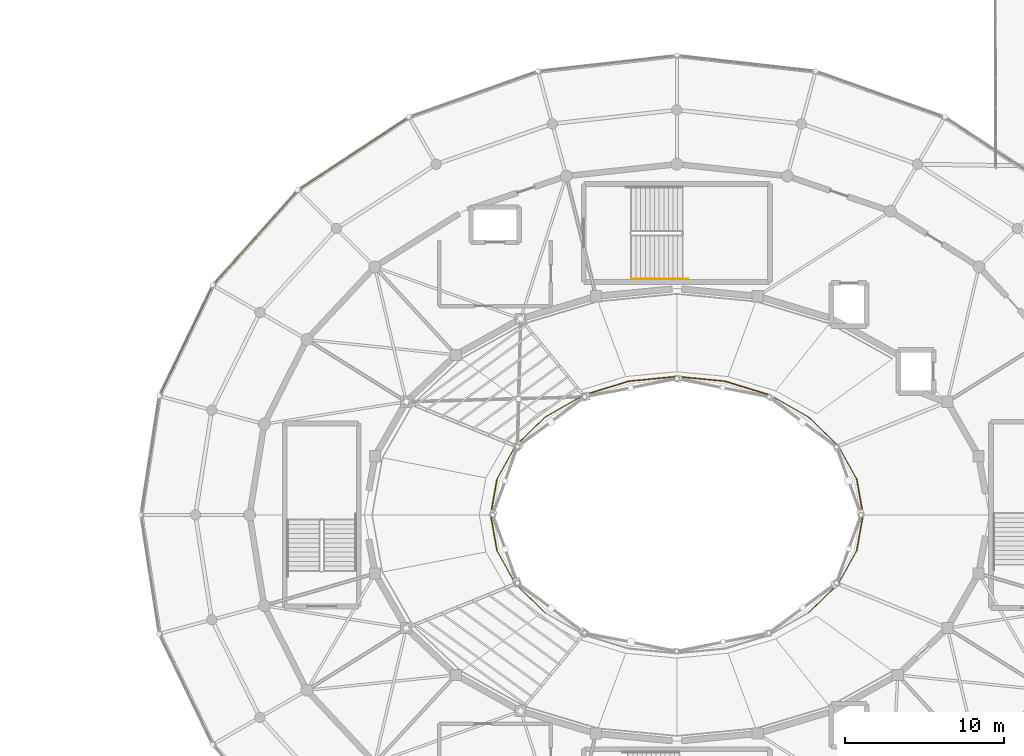
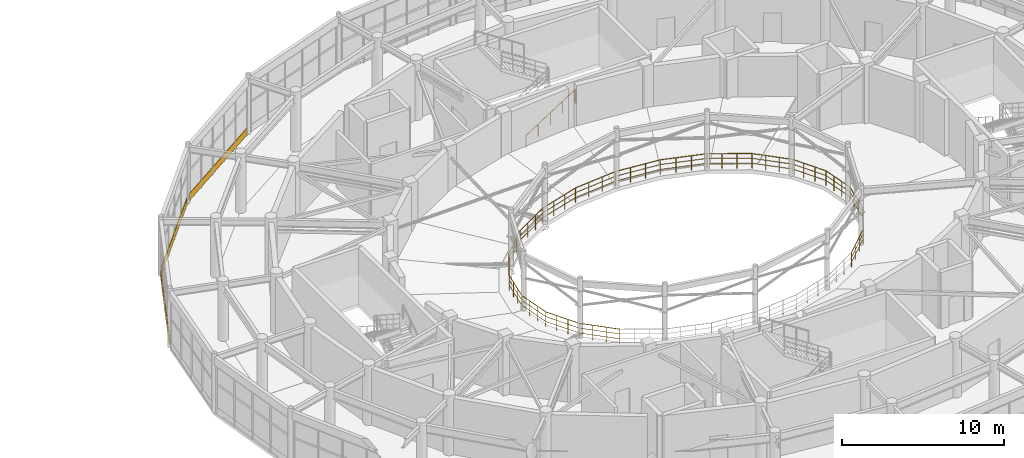
# One storey, part 105 of 112: 19 railings, 3 coverings.
"""IFC4 building model written with IfcOpenShell, lengths in metres."""

from ifc_helpers import new_model, si_unit, direction, frame, origin, origin_2d, place, context, subcontext, project, spatial, rectangle, circle, extrude, material, layer, layer_set, type_object, element, save


model = new_model("IFC4")

# Units and contexts
model_context = context("Model", 3, precision=1e-05, world=origin(), true_north=direction((0.0, 1.0)))
body_context = subcontext(model_context, "Body", "Model", "MODEL_VIEW")
ifc_project = project(units=[si_unit("LENGTHUNIT", "METRE"), si_unit("AREAUNIT", "SQUARE_METRE"), si_unit("VOLUMEUNIT", "CUBIC_METRE"), si_unit("PLANEANGLEUNIT", "RADIAN"), si_unit("MASSUNIT", "GRAM", prefix="KILO")], contexts=[model_context])

# Site, building, storey
site_placement = place(None, origin())
site = spatial("IfcSite", under=ifc_project, at=site_placement, CompositionType="ELEMENT")
building_placement = place(site_placement, origin())
building = spatial("IfcBuilding", under=site, at=building_placement, Name="Cinderbank Siding Concert Hall", CompositionType="ELEMENT")
storey_placement = place(building_placement, frame((0.0, 0.0, 10.199951171875)))
storey = spatial("IfcBuildingStorey", under=building, at=storey_placement, Name="L03", CompositionType="ELEMENT", Elevation=10.199951171875)

# Railings
ifc_material_1 = material(Name="Spotted gum glulam timber GL18 (42 MPa)", Category="wood")
railing_type_1 = type_object("IfcRailingType", Name="BAL-01 Auditorium Tier Balustrade 1120mm", PredefinedType="BALUSTRADE", material=ifc_material_1)
railing_1_placement = place(storey_placement, frame((133.679931640625, 44.0, 0.0)))
element("IfcRailing", 1, at=railing_1_placement, inside=storey, type_object=railing_type_1, Name="L03 Auditorium Circle Balustrade 01", PredefinedType="BALUSTRADE", context=body_context, shape_type="SweptSolid", body=[
    extrude(circle(Radius=0.02392578125, at=origin_2d()), frame((0.0, 0.0, 1.09619140625), z_axis=(-0.174420153546, 0.984671320816, 0.0), x_axis=(-0.984671320816, -0.174420153546, 0.0)), (0.0, 0.0, 1.0), 2.281494140625),
    extrude(circle(Radius=0.01611328125, at=origin_2d()), frame((0.0, 0.0, 0.36962890625), z_axis=(-0.174420153546, 0.984671320816, 0.0), x_axis=(-0.984671320816, -0.174420153546, 0.0)), (0.0, 0.0, 1.0), 2.281494140625),
    extrude(circle(Radius=0.01611328125, at=origin_2d()), frame((0.0, 0.0, 0.7392578125), z_axis=(-0.174420153546, 0.984671320816, 0.0), x_axis=(-0.984671320816, -0.174420153546, 0.0)), (0.0, 0.0, 1.0), 2.281494140625),
    extrude(circle(Radius=0.02099609375, at=origin_2d()), origin(), (0.0, 0.0, 1.0), 1.072021484375),
    extrude(circle(Radius=0.02099609375, at=origin_2d()), frame((-0.132568359375, 0.748779296875, 0.0)), (0.0, 0.0, 1.0), 1.072021484375),
    extrude(circle(Radius=0.02099609375, at=origin_2d()), frame((-0.265380859375, 1.497802734375, 0.0)), (0.0, 0.0, 1.0), 1.072021484375),
    extrude(circle(Radius=0.02099609375, at=origin_2d()), frame((-0.39794921875, 2.24658203125, 0.0)), (0.0, 0.0, 1.0), 1.072021484375),
])
railing_2_placement = place(storey_placement, frame((133.281982421875, 46.24658203125, 0.0)))
element("IfcRailing", 2, at=railing_2_placement, inside=storey, type_object=railing_type_1, Name="L03 Auditorium Circle Balustrade 02", PredefinedType="BALUSTRADE", context=body_context, shape_type="SweptSolid", body=[
    extrude(circle(Radius=0.02392578125, at=origin_2d()), frame((0.0, 0.0, 1.09619140625), z_axis=(-0.486818758281, 0.873503003192, 0.0), x_axis=(-0.873503003192, -0.486818758281, 0.0)), (0.0, 0.0, 1.0), 2.396728515625),
    extrude(circle(Radius=0.01611328125, at=origin_2d()), frame((0.0, 0.0, 0.36962890625), z_axis=(-0.486818758281, 0.873503003192, 0.0), x_axis=(-0.873503003192, -0.486818758281, 0.0)), (0.0, 0.0, 1.0), 2.396728515625),
    extrude(circle(Radius=0.01611328125, at=origin_2d()), frame((0.0, 0.0, 0.7392578125), z_axis=(-0.486818758281, 0.873503003192, 0.0), x_axis=(-0.873503003192, -0.486818758281, 0.0)), (0.0, 0.0, 1.0), 2.396728515625),
    extrude(circle(Radius=0.02099609375, at=origin_2d()), origin(), (0.0, 0.0, 1.0), 1.072021484375),
    extrude(circle(Radius=0.02099609375, at=origin_2d()), frame((-0.388916015625, 0.69775390625, 0.0)), (0.0, 0.0, 1.0), 1.072021484375),
    extrude(circle(Radius=0.02099609375, at=origin_2d()), frame((-0.77783203125, 1.395751953125, 0.0)), (0.0, 0.0, 1.0), 1.072021484375),
    extrude(circle(Radius=0.02099609375, at=origin_2d()), frame((-1.166748046875, 2.093505859375, 0.0)), (0.0, 0.0, 1.0), 1.072021484375),
])
railing_3_placement = place(storey_placement, frame((132.115234375, 48.340087890625, 0.0)))
element("IfcRailing", 3, at=railing_3_placement, inside=storey, type_object=railing_type_1, Name="L03 Auditorium Circle Balustrade 03", PredefinedType="BALUSTRADE", context=body_context, shape_type="SweptSolid", body=[
    extrude(circle(Radius=0.02392578125, at=origin_2d()), frame((0.0, 0.0, 1.09619140625), z_axis=(-0.71835383074, 0.695677923943, 0.0), x_axis=(-0.695677923943, -0.71835383074, 0.0)), (0.0, 0.0, 1.0), 2.583984375),
    extrude(circle(Radius=0.01611328125, at=origin_2d()), frame((0.0, 0.0, 0.36962890625), z_axis=(-0.71835383074, 0.695677923943, 0.0), x_axis=(-0.695677923943, -0.71835383074, 0.0)), (0.0, 0.0, 1.0), 2.583984375),
    extrude(circle(Radius=0.01611328125, at=origin_2d()), frame((0.0, 0.0, 0.7392578125), z_axis=(-0.71835383074, 0.695677923943, 0.0), x_axis=(-0.695677923943, -0.71835383074, 0.0)), (0.0, 0.0, 1.0), 2.583984375),
    extrude(circle(Radius=0.02099609375, at=origin_2d()), origin(), (0.0, 0.0, 1.0), 1.072021484375),
    extrude(circle(Radius=0.02099609375, at=origin_2d()), frame((-0.61865234375, 0.59912109375, 0.0)), (0.0, 0.0, 1.0), 1.072021484375),
    extrude(circle(Radius=0.02099609375, at=origin_2d()), frame((-1.237548828125, 1.198486328125, 0.0)), (0.0, 0.0, 1.0), 1.072021484375),
    extrude(circle(Radius=0.02099609375, at=origin_2d()), frame((-1.856201171875, 1.797607421875, 0.0)), (0.0, 0.0, 1.0), 1.072021484375),
])
railing_4_placement = place(storey_placement, frame((130.259033203125, 50.1376953125, 0.0)))
element("IfcRailing", 4, at=railing_4_placement, inside=storey, type_object=railing_type_1, Name="L03 Auditorium Circle Balustrade 04", PredefinedType="BALUSTRADE", context=body_context, shape_type="SweptSolid", body=[
    extrude(circle(Radius=0.02392578125, at=origin_2d()), frame((0.0, 0.0, 1.09619140625), z_axis=(-0.868685219128, 0.495364502228, 0.0), x_axis=(-0.495364502228, -0.868685219128, 0.0)), (0.0, 0.0, 1.0), 2.78466796875),
    extrude(circle(Radius=0.01611328125, at=origin_2d()), frame((0.0, 0.0, 0.36962890625), z_axis=(-0.868685219128, 0.495364502228, 0.0), x_axis=(-0.495364502228, -0.868685219128, 0.0)), (0.0, 0.0, 1.0), 2.78466796875),
    extrude(circle(Radius=0.01611328125, at=origin_2d()), frame((0.0, 0.0, 0.7392578125), z_axis=(-0.868685219128, 0.495364502228, 0.0), x_axis=(-0.495364502228, -0.868685219128, 0.0)), (0.0, 0.0, 1.0), 2.78466796875),
    extrude(circle(Radius=0.02099609375, at=origin_2d()), origin(), (0.0, 0.0, 1.0), 1.072021484375),
    extrude(circle(Radius=0.02099609375, at=origin_2d()), frame((-0.806396484375, 0.459716796875, 0.0)), (0.0, 0.0, 1.0), 1.072021484375),
    extrude(circle(Radius=0.02099609375, at=origin_2d()), frame((-1.612548828125, 0.919677734375, 0.0)), (0.0, 0.0, 1.0), 1.072021484375),
    extrude(circle(Radius=0.02099609375, at=origin_2d()), frame((-2.4189453125, 1.37939453125, 0.0)), (0.0, 0.0, 1.0), 1.072021484375),
])
railing_5_placement = place(storey_placement, frame((127.840087890625, 51.51708984375, 0.0)))
element("IfcRailing", 5, at=railing_5_placement, inside=storey, type_object=railing_type_1, Name="L03 Auditorium Circle Balustrade 05", PredefinedType="BALUSTRADE", context=body_context, shape_type="SweptSolid", body=[
    extrude(circle(Radius=0.02392578125, at=origin_2d()), frame((0.0, 0.0, 1.09619140625), z_axis=(-0.955743184461, 0.294202252466, 0.0), x_axis=(-0.294202252466, -0.955743184461, 0.0)), (0.0, 0.0, 1.0), 2.947509765625),
    extrude(circle(Radius=0.01611328125, at=origin_2d()), frame((0.0, 0.0, 0.36962890625), z_axis=(-0.955743184461, 0.294202252466, 0.0), x_axis=(-0.294202252466, -0.955743184461, 0.0)), (0.0, 0.0, 1.0), 2.947509765625),
    extrude(circle(Radius=0.01611328125, at=origin_2d()), frame((0.0, 0.0, 0.7392578125), z_axis=(-0.955743184461, 0.294202252466, 0.0), x_axis=(-0.294202252466, -0.955743184461, 0.0)), (0.0, 0.0, 1.0), 2.947509765625),
    extrude(circle(Radius=0.02099609375, at=origin_2d()), origin(), (0.0, 0.0, 1.0), 1.072021484375),
    extrude(circle(Radius=0.02099609375, at=origin_2d()), frame((-0.93896484375, 0.2890625, 0.0)), (0.0, 0.0, 1.0), 1.072021484375),
    extrude(circle(Radius=0.02099609375, at=origin_2d()), frame((-1.878173828125, 0.578125, 0.0)), (0.0, 0.0, 1.0), 1.072021484375),
    extrude(circle(Radius=0.02099609375, at=origin_2d()), frame((-2.817138671875, 0.8671875, 0.0)), (0.0, 0.0, 1.0), 1.072021484375),
])
railing_6_placement = place(storey_placement, frame((125.02294921875, 52.38427734375, 0.0)))
element("IfcRailing", 6, at=railing_6_placement, inside=storey, type_object=railing_type_1, Name="L03 Auditorium Circle Balustrade 06", PredefinedType="BALUSTRADE", context=body_context, shape_type="SweptSolid", body=[
    extrude(circle(Radius=0.02392578125, at=origin_2d()), frame((0.0, 0.0, 1.09619140625), z_axis=(-0.995251301544, 0.097338824598, 0.0), x_axis=(-0.097338824598, -0.995251301544, 0.0)), (0.0, 0.0, 1.0), 3.037353515625),
    extrude(circle(Radius=0.01611328125, at=origin_2d()), frame((0.0, 0.0, 0.36962890625), z_axis=(-0.995251301544, 0.097338824598, 0.0), x_axis=(-0.097338824598, -0.995251301544, 0.0)), (0.0, 0.0, 1.0), 3.037353515625),
    extrude(circle(Radius=0.01611328125, at=origin_2d()), frame((0.0, 0.0, 0.7392578125), z_axis=(-0.995251301544, 0.097338824598, 0.0), x_axis=(-0.097338824598, -0.995251301544, 0.0)), (0.0, 0.0, 1.0), 3.037353515625),
    extrude(circle(Radius=0.02099609375, at=origin_2d()), origin(), (0.0, 0.0, 1.0), 1.072021484375),
    extrude(circle(Radius=0.02099609375, at=origin_2d()), frame((-1.007568359375, 0.0986328125, 0.0)), (0.0, 0.0, 1.0), 1.072021484375),
    extrude(circle(Radius=0.02099609375, at=origin_2d()), frame((-2.015380859375, 0.197021484375, 0.0)), (0.0, 0.0, 1.0), 1.072021484375),
    extrude(circle(Radius=0.02099609375, at=origin_2d()), frame((-3.02294921875, 0.295654296875, 0.0)), (0.0, 0.0, 1.0), 1.072021484375),
])
railing_7_placement = place(storey_placement, frame((122.0, 52.679931640625, 0.0)))
element("IfcRailing", 7, at=railing_7_placement, inside=storey, type_object=railing_type_1, Name="L03 Auditorium Circle Balustrade 07", PredefinedType="BALUSTRADE", context=body_context, shape_type="SweptSolid", body=[
    extrude(circle(Radius=0.02392578125, at=origin_2d()), frame((0.0, 0.0, 1.09619140625), z_axis=(-0.995251301544, -0.097338824598, 0.0), x_axis=(0.097338824598, -0.995251301544, 0.0)), (0.0, 0.0, 1.0), 3.037353515625),
    extrude(circle(Radius=0.01611328125, at=origin_2d()), frame((0.0, 0.0, 0.36962890625), z_axis=(-0.995251301544, -0.097338824598, 0.0), x_axis=(0.097338824598, -0.995251301544, 0.0)), (0.0, 0.0, 1.0), 3.037353515625),
    extrude(circle(Radius=0.01611328125, at=origin_2d()), frame((0.0, 0.0, 0.7392578125), z_axis=(-0.995251301544, -0.097338824598, 0.0), x_axis=(0.097338824598, -0.995251301544, 0.0)), (0.0, 0.0, 1.0), 3.037353515625),
    extrude(circle(Radius=0.02099609375, at=origin_2d()), origin(), (0.0, 0.0, 1.0), 1.072021484375),
    extrude(circle(Radius=0.02099609375, at=origin_2d()), frame((-1.007568359375, -0.0986328125, 0.0)), (0.0, 0.0, 1.0), 1.072021484375),
    extrude(circle(Radius=0.02099609375, at=origin_2d()), frame((-2.015380859375, -0.197021484375, 0.0)), (0.0, 0.0, 1.0), 1.072021484375),
    extrude(circle(Radius=0.02099609375, at=origin_2d()), frame((-3.02294921875, -0.295654296875, 0.0)), (0.0, 0.0, 1.0), 1.072021484375),
])
railing_8_placement = place(storey_placement, frame((118.97705078125, 52.38427734375, 0.0)))
element("IfcRailing", 8, at=railing_8_placement, inside=storey, type_object=railing_type_1, Name="L03 Auditorium Circle Balustrade 08", PredefinedType="BALUSTRADE", context=body_context, shape_type="SweptSolid", body=[
    extrude(circle(Radius=0.02392578125, at=origin_2d()), frame((0.0, 0.0, 1.09619140625), z_axis=(-0.955743184461, -0.294202252466, 0.0), x_axis=(0.294202252466, -0.955743184461, 0.0)), (0.0, 0.0, 1.0), 2.947509765625),
    extrude(circle(Radius=0.01611328125, at=origin_2d()), frame((0.0, 0.0, 0.36962890625), z_axis=(-0.955743184461, -0.294202252466, 0.0), x_axis=(0.294202252466, -0.955743184461, 0.0)), (0.0, 0.0, 1.0), 2.947509765625),
    extrude(circle(Radius=0.01611328125, at=origin_2d()), frame((0.0, 0.0, 0.7392578125), z_axis=(-0.955743184461, -0.294202252466, 0.0), x_axis=(0.294202252466, -0.955743184461, 0.0)), (0.0, 0.0, 1.0), 2.947509765625),
    extrude(circle(Radius=0.02099609375, at=origin_2d()), origin(), (0.0, 0.0, 1.0), 1.072021484375),
    extrude(circle(Radius=0.02099609375, at=origin_2d()), frame((-0.93896484375, -0.2890625, 0.0)), (0.0, 0.0, 1.0), 1.072021484375),
    extrude(circle(Radius=0.02099609375, at=origin_2d()), frame((-1.878173828125, -0.578125, 0.0)), (0.0, 0.0, 1.0), 1.072021484375),
    extrude(circle(Radius=0.02099609375, at=origin_2d()), frame((-2.817138671875, -0.8671875, 0.0)), (0.0, 0.0, 1.0), 1.072021484375),
])
railing_9_placement = place(storey_placement, frame((116.159912109375, 51.51708984375, 0.0)))
element("IfcRailing", 9, at=railing_9_placement, inside=storey, type_object=railing_type_1, Name="L03 Auditorium Circle Balustrade 09", PredefinedType="BALUSTRADE", context=body_context, shape_type="SweptSolid", body=[
    extrude(circle(Radius=0.02392578125, at=origin_2d()), frame((0.0, 0.0, 1.09619140625), z_axis=(-0.868685219128, -0.495364502228, 0.0), x_axis=(0.495364502228, -0.868685219128, 0.0)), (0.0, 0.0, 1.0), 2.78466796875),
    extrude(circle(Radius=0.01611328125, at=origin_2d()), frame((0.0, 0.0, 0.36962890625), z_axis=(-0.868685219128, -0.495364502228, 0.0), x_axis=(0.495364502228, -0.868685219128, 0.0)), (0.0, 0.0, 1.0), 2.78466796875),
    extrude(circle(Radius=0.01611328125, at=origin_2d()), frame((0.0, 0.0, 0.7392578125), z_axis=(-0.868685219128, -0.495364502228, 0.0), x_axis=(0.495364502228, -0.868685219128, 0.0)), (0.0, 0.0, 1.0), 2.78466796875),
    extrude(circle(Radius=0.02099609375, at=origin_2d()), origin(), (0.0, 0.0, 1.0), 1.072021484375),
    extrude(circle(Radius=0.02099609375, at=origin_2d()), frame((-0.806396484375, -0.459716796875, 0.0)), (0.0, 0.0, 1.0), 1.072021484375),
    extrude(circle(Radius=0.02099609375, at=origin_2d()), frame((-1.612548828125, -0.919677734375, 0.0)), (0.0, 0.0, 1.0), 1.072021484375),
    extrude(circle(Radius=0.02099609375, at=origin_2d()), frame((-2.4189453125, -1.37939453125, 0.0)), (0.0, 0.0, 1.0), 1.072021484375),
])
railing_10_placement = place(storey_placement, frame((113.740966796875, 50.1376953125, 0.0)))
element("IfcRailing", 10, at=railing_10_placement, inside=storey, type_object=railing_type_1, Name="L03 Auditorium Circle Balustrade 10", PredefinedType="BALUSTRADE", context=body_context, shape_type="SweptSolid", body=[
    extrude(circle(Radius=0.02392578125, at=origin_2d()), frame((0.0, 0.0, 1.09619140625), z_axis=(-0.71835383074, -0.695677923943, 0.0), x_axis=(0.695677923943, -0.71835383074, 0.0)), (0.0, 0.0, 1.0), 2.583984375),
    extrude(circle(Radius=0.01611328125, at=origin_2d()), frame((0.0, 0.0, 0.36962890625), z_axis=(-0.71835383074, -0.695677923943, 0.0), x_axis=(0.695677923943, -0.71835383074, 0.0)), (0.0, 0.0, 1.0), 2.583984375),
    extrude(circle(Radius=0.01611328125, at=origin_2d()), frame((0.0, 0.0, 0.7392578125), z_axis=(-0.71835383074, -0.695677923943, 0.0), x_axis=(0.695677923943, -0.71835383074, 0.0)), (0.0, 0.0, 1.0), 2.583984375),
    extrude(circle(Radius=0.02099609375, at=origin_2d()), origin(), (0.0, 0.0, 1.0), 1.072021484375),
    extrude(circle(Radius=0.02099609375, at=origin_2d()), frame((-0.61865234375, -0.59912109375, 0.0)), (0.0, 0.0, 1.0), 1.072021484375),
    extrude(circle(Radius=0.02099609375, at=origin_2d()), frame((-1.237548828125, -1.198486328125, 0.0)), (0.0, 0.0, 1.0), 1.072021484375),
    extrude(circle(Radius=0.02099609375, at=origin_2d()), frame((-1.856201171875, -1.797607421875, 0.0)), (0.0, 0.0, 1.0), 1.072021484375),
])
railing_11_placement = place(storey_placement, frame((111.884765625, 48.340087890625, 0.0)))
element("IfcRailing", 11, at=railing_11_placement, inside=storey, type_object=railing_type_1, Name="L03 Auditorium Circle Balustrade 11", PredefinedType="BALUSTRADE", context=body_context, shape_type="SweptSolid", body=[
    extrude(circle(Radius=0.02392578125, at=origin_2d()), frame((0.0, 0.0, 1.09619140625), z_axis=(-0.486818758281, -0.873503003192, 0.0), x_axis=(0.873503003192, -0.486818758281, 0.0)), (0.0, 0.0, 1.0), 2.396728515625),
    extrude(circle(Radius=0.01611328125, at=origin_2d()), frame((0.0, 0.0, 0.36962890625), z_axis=(-0.486818758281, -0.873503003192, 0.0), x_axis=(0.873503003192, -0.486818758281, 0.0)), (0.0, 0.0, 1.0), 2.396728515625),
    extrude(circle(Radius=0.01611328125, at=origin_2d()), frame((0.0, 0.0, 0.7392578125), z_axis=(-0.486818758281, -0.873503003192, 0.0), x_axis=(0.873503003192, -0.486818758281, 0.0)), (0.0, 0.0, 1.0), 2.396728515625),
    extrude(circle(Radius=0.02099609375, at=origin_2d()), origin(), (0.0, 0.0, 1.0), 1.072021484375),
    extrude(circle(Radius=0.02099609375, at=origin_2d()), frame((-0.388916015625, -0.69775390625, 0.0)), (0.0, 0.0, 1.0), 1.072021484375),
    extrude(circle(Radius=0.02099609375, at=origin_2d()), frame((-0.77783203125, -1.395751953125, 0.0)), (0.0, 0.0, 1.0), 1.072021484375),
    extrude(circle(Radius=0.02099609375, at=origin_2d()), frame((-1.166748046875, -2.093505859375, 0.0)), (0.0, 0.0, 1.0), 1.072021484375),
])
railing_12_placement = place(storey_placement, frame((110.718017578125, 46.24658203125, 0.0)))
element("IfcRailing", 12, at=railing_12_placement, inside=storey, type_object=railing_type_1, Name="L03 Auditorium Circle Balustrade 12", PredefinedType="BALUSTRADE", context=body_context, shape_type="SweptSolid", body=[
    extrude(circle(Radius=0.02392578125, at=origin_2d()), frame((0.0, 0.0, 1.09619140625), z_axis=(-0.174420153546, -0.984671320816, 0.0), x_axis=(0.984671320816, -0.174420153546, 0.0)), (0.0, 0.0, 1.0), 2.281494140625),
    extrude(circle(Radius=0.01611328125, at=origin_2d()), frame((0.0, 0.0, 0.36962890625), z_axis=(-0.174420153546, -0.984671320816, 0.0), x_axis=(0.984671320816, -0.174420153546, 0.0)), (0.0, 0.0, 1.0), 2.281494140625),
    extrude(circle(Radius=0.01611328125, at=origin_2d()), frame((0.0, 0.0, 0.7392578125), z_axis=(-0.174420153546, -0.984671320816, 0.0), x_axis=(0.984671320816, -0.174420153546, 0.0)), (0.0, 0.0, 1.0), 2.281494140625),
    extrude(circle(Radius=0.02099609375, at=origin_2d()), origin(), (0.0, 0.0, 1.0), 1.072021484375),
    extrude(circle(Radius=0.02099609375, at=origin_2d()), frame((-0.132568359375, -0.748779296875, 0.0)), (0.0, 0.0, 1.0), 1.072021484375),
    extrude(circle(Radius=0.02099609375, at=origin_2d()), frame((-0.265380859375, -1.497802734375, 0.0)), (0.0, 0.0, 1.0), 1.072021484375),
    extrude(circle(Radius=0.02099609375, at=origin_2d()), frame((-0.39794921875, -2.24658203125, 0.0)), (0.0, 0.0, 1.0), 1.072021484375),
])
railing_13_placement = place(storey_placement, frame((110.320068359375, 44.0, 0.0)))
element("IfcRailing", 13, at=railing_13_placement, inside=storey, type_object=railing_type_1, Name="L03 Auditorium Circle Balustrade 13", PredefinedType="BALUSTRADE", context=body_context, shape_type="SweptSolid", body=[
    extrude(circle(Radius=0.02392578125, at=origin_2d()), frame((0.0, 0.0, 1.09619140625), z_axis=(0.174420153546, -0.984671320816, 0.0), x_axis=(0.984671320816, 0.174420153546, 0.0)), (0.0, 0.0, 1.0), 2.281494140625),
    extrude(circle(Radius=0.01611328125, at=origin_2d()), frame((0.0, 0.0, 0.36962890625), z_axis=(0.174420153546, -0.984671320816, 0.0), x_axis=(0.984671320816, 0.174420153546, 0.0)), (0.0, 0.0, 1.0), 2.281494140625),
    extrude(circle(Radius=0.01611328125, at=origin_2d()), frame((0.0, 0.0, 0.7392578125), z_axis=(0.174420153546, -0.984671320816, 0.0), x_axis=(0.984671320816, 0.174420153546, 0.0)), (0.0, 0.0, 1.0), 2.281494140625),
    extrude(circle(Radius=0.02099609375, at=origin_2d()), origin(), (0.0, 0.0, 1.0), 1.072021484375),
    extrude(circle(Radius=0.02099609375, at=origin_2d()), frame((0.132568359375, -0.748779296875, 0.0)), (0.0, 0.0, 1.0), 1.072021484375),
    extrude(circle(Radius=0.02099609375, at=origin_2d()), frame((0.265380859375, -1.497802734375, 0.0)), (0.0, 0.0, 1.0), 1.072021484375),
    extrude(circle(Radius=0.02099609375, at=origin_2d()), frame((0.39794921875, -2.24658203125, 0.0)), (0.0, 0.0, 1.0), 1.072021484375),
])
railing_14_placement = place(storey_placement, frame((110.718017578125, 41.75341796875, 0.0)))
element("IfcRailing", 14, at=railing_14_placement, inside=storey, type_object=railing_type_1, Name="L03 Auditorium Circle Balustrade 14", PredefinedType="BALUSTRADE", context=body_context, shape_type="SweptSolid", body=[
    extrude(circle(Radius=0.02392578125, at=origin_2d()), frame((0.0, 0.0, 1.09619140625), z_axis=(0.486818758281, -0.873503003192, 0.0), x_axis=(0.873503003192, 0.486818758281, 0.0)), (0.0, 0.0, 1.0), 2.396728515625),
    extrude(circle(Radius=0.01611328125, at=origin_2d()), frame((0.0, 0.0, 0.36962890625), z_axis=(0.486818758281, -0.873503003192, 0.0), x_axis=(0.873503003192, 0.486818758281, 0.0)), (0.0, 0.0, 1.0), 2.396728515625),
    extrude(circle(Radius=0.01611328125, at=origin_2d()), frame((0.0, 0.0, 0.7392578125), z_axis=(0.486818758281, -0.873503003192, 0.0), x_axis=(0.873503003192, 0.486818758281, 0.0)), (0.0, 0.0, 1.0), 2.396728515625),
    extrude(circle(Radius=0.02099609375, at=origin_2d()), origin(), (0.0, 0.0, 1.0), 1.072021484375),
    extrude(circle(Radius=0.02099609375, at=origin_2d()), frame((0.388916015625, -0.69775390625, 0.0)), (0.0, 0.0, 1.0), 1.072021484375),
    extrude(circle(Radius=0.02099609375, at=origin_2d()), frame((0.77783203125, -1.395751953125, 0.0)), (0.0, 0.0, 1.0), 1.072021484375),
    extrude(circle(Radius=0.02099609375, at=origin_2d()), frame((1.166748046875, -2.093505859375, 0.0)), (0.0, 0.0, 1.0), 1.072021484375),
])
railing_15_placement = place(storey_placement, frame((111.884765625, 39.659912109375, 0.0)))
element("IfcRailing", 15, at=railing_15_placement, inside=storey, type_object=railing_type_1, Name="L03 Auditorium Circle Balustrade 15", PredefinedType="BALUSTRADE", context=body_context, shape_type="SweptSolid", body=[
    extrude(circle(Radius=0.02392578125, at=origin_2d()), frame((0.0, 0.0, 1.09619140625), z_axis=(0.71835383074, -0.695677923943, 0.0), x_axis=(0.695677923943, 0.71835383074, 0.0)), (0.0, 0.0, 1.0), 2.583984375),
    extrude(circle(Radius=0.01611328125, at=origin_2d()), frame((0.0, 0.0, 0.36962890625), z_axis=(0.71835383074, -0.695677923943, 0.0), x_axis=(0.695677923943, 0.71835383074, 0.0)), (0.0, 0.0, 1.0), 2.583984375),
    extrude(circle(Radius=0.01611328125, at=origin_2d()), frame((0.0, 0.0, 0.7392578125), z_axis=(0.71835383074, -0.695677923943, 0.0), x_axis=(0.695677923943, 0.71835383074, 0.0)), (0.0, 0.0, 1.0), 2.583984375),
    extrude(circle(Radius=0.02099609375, at=origin_2d()), origin(), (0.0, 0.0, 1.0), 1.072021484375),
    extrude(circle(Radius=0.02099609375, at=origin_2d()), frame((0.61865234375, -0.59912109375, 0.0)), (0.0, 0.0, 1.0), 1.072021484375),
    extrude(circle(Radius=0.02099609375, at=origin_2d()), frame((1.237548828125, -1.198486328125, 0.0)), (0.0, 0.0, 1.0), 1.072021484375),
    extrude(circle(Radius=0.02099609375, at=origin_2d()), frame((1.856201171875, -1.797607421875, 0.0)), (0.0, 0.0, 1.0), 1.072021484375),
])
railing_16_placement = place(storey_placement, frame((130.259033203125, 37.8623046875, 0.0)))
element("IfcRailing", 16, at=railing_16_placement, inside=storey, type_object=railing_type_1, Name="L03 Auditorium Circle Balustrade 22", PredefinedType="BALUSTRADE", context=body_context, shape_type="SweptSolid", body=[
    extrude(circle(Radius=0.02392578125, at=origin_2d()), frame((0.0, 0.0, 1.09619140625), z_axis=(0.71835383074, 0.695677923943, 0.0), x_axis=(-0.695677923943, 0.71835383074, 0.0)), (0.0, 0.0, 1.0), 2.583984375),
    extrude(circle(Radius=0.01611328125, at=origin_2d()), frame((0.0, 0.0, 0.36962890625), z_axis=(0.71835383074, 0.695677923943, 0.0), x_axis=(-0.695677923943, 0.71835383074, 0.0)), (0.0, 0.0, 1.0), 2.583984375),
    extrude(circle(Radius=0.01611328125, at=origin_2d()), frame((0.0, 0.0, 0.7392578125), z_axis=(0.71835383074, 0.695677923943, 0.0), x_axis=(-0.695677923943, 0.71835383074, 0.0)), (0.0, 0.0, 1.0), 2.583984375),
    extrude(circle(Radius=0.02099609375, at=origin_2d()), origin(), (0.0, 0.0, 1.0), 1.072021484375),
    extrude(circle(Radius=0.02099609375, at=origin_2d()), frame((0.61865234375, 0.59912109375, 0.0)), (0.0, 0.0, 1.0), 1.072021484375),
    extrude(circle(Radius=0.02099609375, at=origin_2d()), frame((1.237548828125, 1.198486328125, 0.0)), (0.0, 0.0, 1.0), 1.072021484375),
    extrude(circle(Radius=0.02099609375, at=origin_2d()), frame((1.856201171875, 1.797607421875, 0.0)), (0.0, 0.0, 1.0), 1.072021484375),
])
railing_17_placement = place(storey_placement, frame((132.115234375, 39.659912109375, 0.0)))
element("IfcRailing", 17, at=railing_17_placement, inside=storey, type_object=railing_type_1, Name="L03 Auditorium Circle Balustrade 23", PredefinedType="BALUSTRADE", context=body_context, shape_type="SweptSolid", body=[
    extrude(circle(Radius=0.02392578125, at=origin_2d()), frame((0.0, 0.0, 1.09619140625), z_axis=(0.486818758281, 0.873503003192, 0.0), x_axis=(-0.873503003192, 0.486818758281, 0.0)), (0.0, 0.0, 1.0), 2.396728515625),
    extrude(circle(Radius=0.01611328125, at=origin_2d()), frame((0.0, 0.0, 0.36962890625), z_axis=(0.486818758281, 0.873503003192, 0.0), x_axis=(-0.873503003192, 0.486818758281, 0.0)), (0.0, 0.0, 1.0), 2.396728515625),
    extrude(circle(Radius=0.01611328125, at=origin_2d()), frame((0.0, 0.0, 0.7392578125), z_axis=(0.486818758281, 0.873503003192, 0.0), x_axis=(-0.873503003192, 0.486818758281, 0.0)), (0.0, 0.0, 1.0), 2.396728515625),
    extrude(circle(Radius=0.02099609375, at=origin_2d()), origin(), (0.0, 0.0, 1.0), 1.072021484375),
    extrude(circle(Radius=0.02099609375, at=origin_2d()), frame((0.388916015625, 0.69775390625, 0.0)), (0.0, 0.0, 1.0), 1.072021484375),
    extrude(circle(Radius=0.02099609375, at=origin_2d()), frame((0.77783203125, 1.395751953125, 0.0)), (0.0, 0.0, 1.0), 1.072021484375),
    extrude(circle(Radius=0.02099609375, at=origin_2d()), frame((1.166748046875, 2.093505859375, 0.0)), (0.0, 0.0, 1.0), 1.072021484375),
])
railing_18_placement = place(storey_placement, frame((133.281982421875, 41.75341796875, 0.0)))
element("IfcRailing", 18, at=railing_18_placement, inside=storey, type_object=railing_type_1, Name="L03 Auditorium Circle Balustrade 24", PredefinedType="BALUSTRADE", context=body_context, shape_type="SweptSolid", body=[
    extrude(circle(Radius=0.02392578125, at=origin_2d()), frame((0.0, 0.0, 1.09619140625), z_axis=(0.174420153546, 0.984671320816, 0.0), x_axis=(-0.984671320816, 0.174420153546, 0.0)), (0.0, 0.0, 1.0), 2.281494140625),
    extrude(circle(Radius=0.01611328125, at=origin_2d()), frame((0.0, 0.0, 0.36962890625), z_axis=(0.174420153546, 0.984671320816, 0.0), x_axis=(-0.984671320816, 0.174420153546, 0.0)), (0.0, 0.0, 1.0), 2.281494140625),
    extrude(circle(Radius=0.01611328125, at=origin_2d()), frame((0.0, 0.0, 0.7392578125), z_axis=(0.174420153546, 0.984671320816, 0.0), x_axis=(-0.984671320816, 0.174420153546, 0.0)), (0.0, 0.0, 1.0), 2.281494140625),
    extrude(circle(Radius=0.02099609375, at=origin_2d()), origin(), (0.0, 0.0, 1.0), 1.072021484375),
    extrude(circle(Radius=0.02099609375, at=origin_2d()), frame((0.132568359375, 0.748779296875, 0.0)), (0.0, 0.0, 1.0), 1.072021484375),
    extrude(circle(Radius=0.02099609375, at=origin_2d()), frame((0.265380859375, 1.497802734375, 0.0)), (0.0, 0.0, 1.0), 1.072021484375),
    extrude(circle(Radius=0.02099609375, at=origin_2d()), frame((0.39794921875, 2.24658203125, 0.0)), (0.0, 0.0, 1.0), 1.072021484375),
])

# Coverings
ifc_layer = layer(ifc_material_1, 0.06494140625)
ifc_layer_set = layer_set([ifc_layer], Name="Spotted gum glulam timber GL18 (42 MPa)")
covering_type = type_object("IfcCoveringType", Name="CL-01 Spotted Gum Spandrel Band 520mm", PredefinedType="CLADDING", material=ifc_layer_set)
covering_1_placement = place(storey_placement, frame((101.720703125, 66.653076171875, 0.0), z_axis=(0.0, 0.0, 1.0), x_axis=(-0.835491932304, -0.549502712509, 0.0)))
element("IfcCovering", 19, at=covering_1_placement, inside=storey, type_object=covering_type, Name="CW-L03-033 Spotted Gum Spandrel Band", PredefinedType="CLADDING", context=body_context, shape_type="SweptSolid", body=[
    extrude(rectangle(XDim=7.875, YDim=0.06494140625, at=origin_2d()), origin(), (0.0, 0.0, 1.0), 0.52001953125),
])
covering_2_placement = place(storey_placement, frame((95.5712890625, 61.38232421875, 0.0), z_axis=(0.0, 0.0, 1.0), x_axis=(-0.666993465338, -0.745063565877, 0.0)))
element("IfcCovering", 20, at=covering_2_placement, inside=storey, type_object=covering_type, Name="CW-L03-034 Spotted Gum Spandrel Band", PredefinedType="CLADDING", context=body_context, shape_type="SweptSolid", body=[
    extrude(rectangle(XDim=7.5517578125, YDim=0.06494140625, at=origin_2d()), origin(), (0.0, 0.0, 1.0), 0.52001953125),
])
covering_3_placement = place(storey_placement, frame((91.22314453125, 54.927001953125, 0.0), z_axis=(0.0, 0.0, 1.0), x_axis=(-0.435102109714, -0.900381116041, 0.0)))
element("IfcCovering", 21, at=covering_3_placement, inside=storey, type_object=covering_type, Name="CW-L03-035 Spotted Gum Spandrel Band", PredefinedType="CLADDING", context=body_context, shape_type="SweptSolid", body=[
    extrude(rectangle(XDim=7.260498046875, YDim=0.06494140625, at=origin_2d()), origin(), (0.0, 0.0, 1.0), 0.52001953125),
])

# Railing
ifc_material_2 = material(Name="Structural steel AS/NZS 3679.1 Grade 350 (340 MPa)", Category="steel")
railing_type_2 = type_object("IfcRailingType", Name="STH-01 Stair Pitch Handrail 920mm", PredefinedType="HANDRAIL", material=ifc_material_2)
railing_19_placement = place(storey_placement, frame((119.14990234375, 58.800048828125, 0.1875)))
element("IfcRailing", 22, at=railing_19_placement, inside=storey, type_object=railing_type_2, Name="L03 ST-01 stair handrail 1", PredefinedType="HANDRAIL", context=body_context, shape_type="SweptSolid", body=[
    extrude(circle(Radius=0.02392578125, at=origin_2d()), frame((0.0, 0.0, 0.89599609375), z_axis=(0.839762940478, 0.0, 0.542953224319), x_axis=(0.0, 1.0, 0.0)), (0.0, 0.0, 1.0), 4.14404296875),
    extrude(circle(Radius=0.02392578125, at=origin_2d()), frame((3.47998046875, 0.0, 3.14599609375), z_axis=(1.0, 0.0, 0.0), x_axis=(0.0, 1.0, 0.0)), (0.0, 0.0, 1.0), 0.06005859375),
    extrude(circle(Radius=0.02099609375, at=origin_2d()), origin(), (0.0, 0.0, 1.0), 0.871826171875),
    extrude(circle(Radius=0.02099609375, at=origin_2d()), frame((0.8701171875, 0.0, 0.5625)), (0.0, 0.0, 1.0), 0.871826171875),
    extrude(circle(Radius=0.02099609375, at=origin_2d()), frame((1.739990234375, 0.0, 1.125)), (0.0, 0.0, 1.0), 0.871826171875),
    extrude(circle(Radius=0.02099609375, at=origin_2d()), frame((2.60986328125, 0.0, 1.6875)), (0.0, 0.0, 1.0), 0.871826171875),
    extrude(circle(Radius=0.02099609375, at=origin_2d()), frame((3.47998046875, 0.0, 2.25)), (0.0, 0.0, 1.0), 0.871826171875),
    extrude(circle(Radius=0.02099609375, at=origin_2d()), frame((3.5400390625, 0.0, 2.0625)), (0.0, 0.0, 1.0), 1.059326171875),
])

save(model, "model.ifc")
